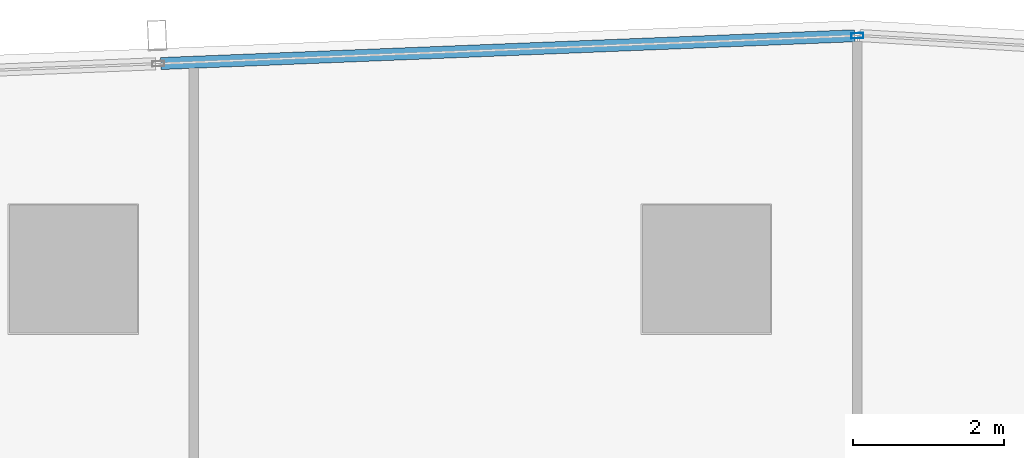
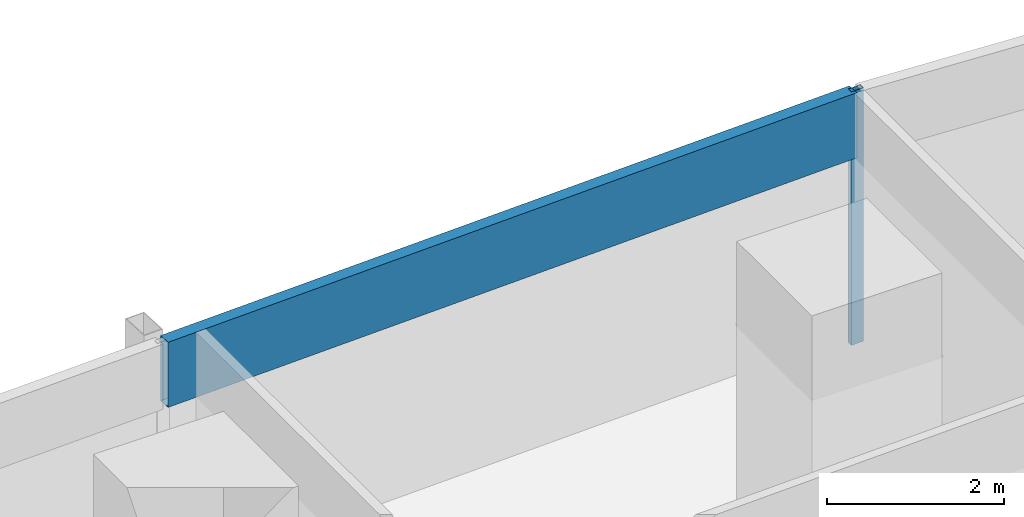
# One storey, part 23 of 40: 2 members, 1 element without a shape of its own.
"""IFC4 building model written with IfcOpenShell, lengths in metres."""

from ifc_helpers import new_model, si_unit, direction, frame, origin, origin_2d, place, context, subcontext, project, spatial, hollow_rectangle, extrude, material, material_profile, profile_set, type_object, element, aggregate, save


model = new_model("IFC4")

# Units and contexts
model_context = context("Model", 3, precision=1e-05, world=origin(), true_north=direction((0.0, 1.0)))
body_context = subcontext(model_context, "Body", "Model", "MODEL_VIEW")
ifc_project = project(units=[si_unit("LENGTHUNIT", "METRE"), si_unit("AREAUNIT", "SQUARE_METRE"), si_unit("VOLUMEUNIT", "CUBIC_METRE"), si_unit("PLANEANGLEUNIT", "RADIAN"), si_unit("MASSUNIT", "GRAM", prefix="KILO")], contexts=[model_context])

# Site, building, storey
site_placement = place(None, origin())
site = spatial("IfcSite", under=ifc_project, at=site_placement, CompositionType="ELEMENT")
building_placement = place(site_placement, origin())
building = spatial("IfcBuilding", under=site, at=building_placement, Name="Rekha Terrace Tower", CompositionType="ELEMENT")
storey_placement = place(building_placement, frame((0.0, 0.0, 99.050048828125)))
storey = spatial("IfcBuildingStorey", under=building, at=storey_placement, Name="L24", CompositionType="ELEMENT", Elevation=99.050048828125)

# Curtain wall, members
ifc_material_1 = material(Name="Aluminium framing", Category="aluminium")
curtain_wall_type = type_object("IfcCurtainWallType", Name="CW3 north unitised glazing", PredefinedType="USERDEFINED", material=ifc_material_1)
curtain_wall_placement = place(storey_placement, origin())
curtain_wall = element("IfcCurtainWall", 1, at=curtain_wall_placement, inside=storey, type_object=curtain_wall_type, Name="CW3 unitised curtain wall", ObjectType="UNITISED CURTAIN WALL", PredefinedType="USERDEFINED")
ifc_material_2 = material(Name="Aluminium mullion section", Category="aluminium")
ifc_material_profile_1 = material_profile(ifc_material_2, hollow_rectangle(XDim=0.070068359375, YDim=0.159912109375, WallThickness=0.00390625, at=origin_2d()), Name="AL RHS 70x160")
ifc_profile_set_1 = profile_set([ifc_material_profile_1], Name="Aluminium mullion section")
member_type_1 = type_object("IfcMemberType", Name="CW3 mullion RHS 70 x 160", PredefinedType="MULLION", material=ifc_profile_set_1)
member_1_placement = place(storey_placement, frame((44.0029296875, 61.8984375, 0.0), z_axis=(0.0, 0.0, 1.0), x_axis=(0.040031987119, -0.999198398721, 0.0)))
member_1 = element("IfcMember", 2, at=member_1_placement, type_object=member_type_1, Name="CW3 mullion 1", PredefinedType="MULLION", context=body_context, shape_type="SweptSolid", body=[
    extrude(hollow_rectangle(XDim=0.070068359375, YDim=0.159912109375, WallThickness=0.00390625, at=origin_2d()), origin(), (0.0, 0.0, 1.0), 3.5),
])
ifc_material_3 = material(Name="Insulated aluminium spandrel box", Category="aluminium")
ifc_material_profile_2 = material_profile(ifc_material_3, hollow_rectangle(XDim=0.159912109375, YDim=0.89990234375, WallThickness=0.0029296875, at=origin_2d()), Name="AL SPANDREL BOX 160x900")
ifc_profile_set_2 = profile_set([ifc_material_profile_2], Name="Insulated aluminium spandrel box")
member_type_2 = type_object("IfcMemberType", Name="CW3 spandrel transom 160 x 900", PredefinedType="USERDEFINED", material=ifc_profile_set_2)
member_2_placement = place(storey_placement, frame((43.968017578125, 61.89697265625, 3.050048828125), z_axis=(-0.999198290018, -0.04003470026, 0.0), x_axis=(0.04003470026, -0.999198290018, 0.0)))
member_2 = element("IfcMember", 3, at=member_2_placement, type_object=member_type_2, Name="CW3 spandrel transom 1", ObjectType="TRANSOM", PredefinedType="USERDEFINED", context=body_context, shape_type="SweptSolid", body=[
    extrude(hollow_rectangle(XDim=0.159912109375, YDim=0.89990234375, WallThickness=0.0029296875, at=origin_2d()), origin(), (0.0, 0.0, 1.0), 9.21435546875),
])
aggregate(curtain_wall, [member_1, member_2])

save(model, "model.ifc")
